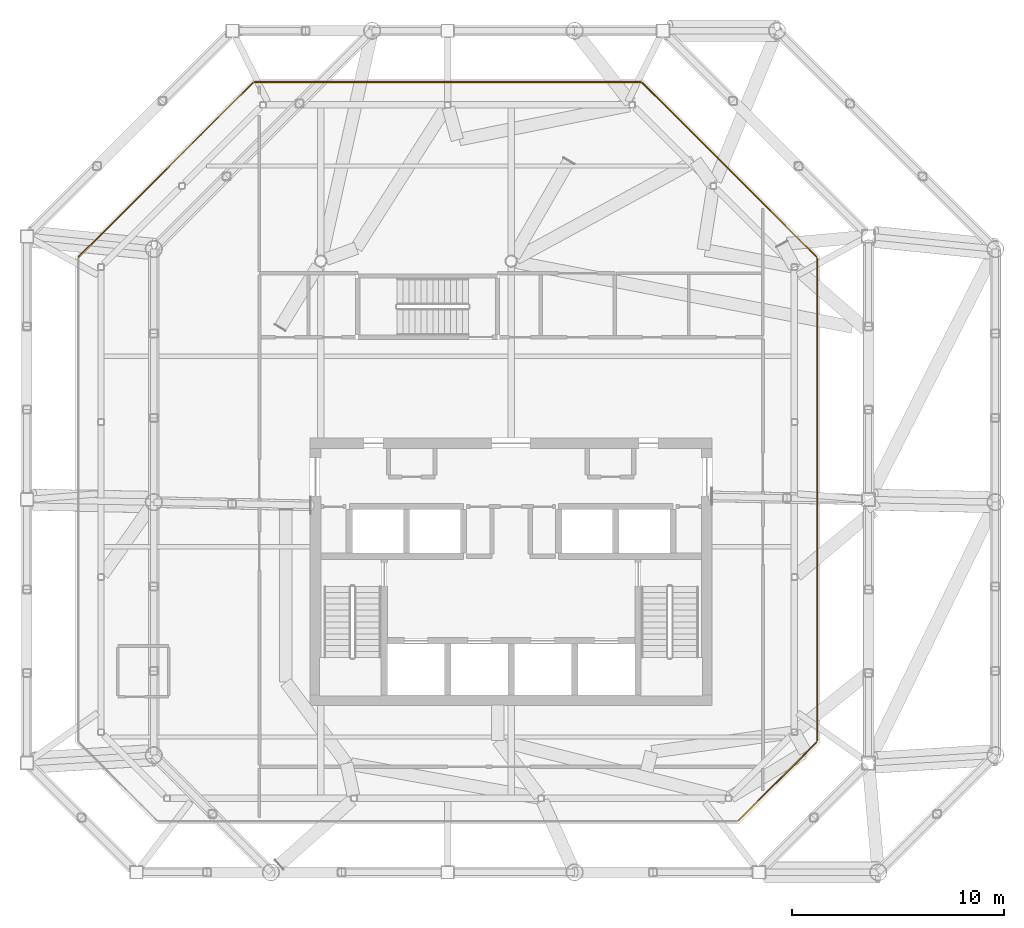
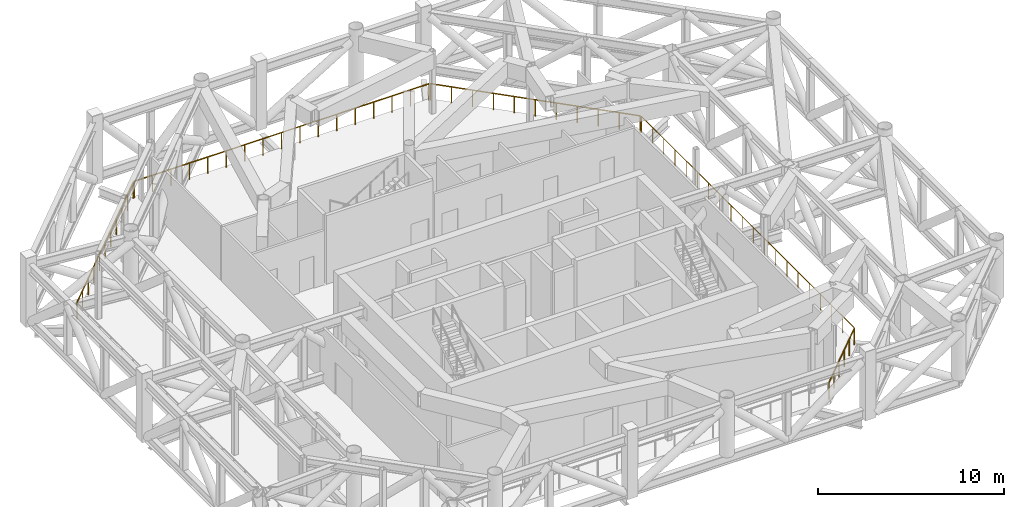
# One storey, part 14 of 14: 5 railings.
"""IFC4 building model written with IfcOpenShell, lengths in metres."""

from ifc_helpers import new_model, si_unit, direction, frame, origin, origin_2d, place, context, subcontext, project, spatial, circle, extrude, material, type_object, element, save


model = new_model("IFC4")

# Units and contexts
model_context = context("Model", 3, precision=1e-05, world=origin(), true_north=direction((0.0, 1.0)))
body_context = subcontext(model_context, "Body", "Model", "MODEL_VIEW")
ifc_project = project(units=[si_unit("LENGTHUNIT", "METRE"), si_unit("AREAUNIT", "SQUARE_METRE"), si_unit("VOLUMEUNIT", "CUBIC_METRE"), si_unit("PLANEANGLEUNIT", "RADIAN"), si_unit("MASSUNIT", "GRAM", prefix="KILO")], contexts=[model_context])

# Site, building, storey
site_placement = place(None, origin())
site = spatial("IfcSite", under=ifc_project, at=site_placement, CompositionType="ELEMENT")
building_placement = place(site_placement, origin())
building = spatial("IfcBuilding", under=site, at=building_placement, Name="Tskaro Facet Tower", CompositionType="ELEMENT")
storey_placement = place(building_placement, frame((0.0, 0.0, 255.0)))
storey = spatial("IfcBuildingStorey", under=building, at=storey_placement, Name="L67", CompositionType="ELEMENT", Elevation=255.0)

# Railings
ifc_material = material(Name="Bronze anodised aluminium 6063-T6", Category="aluminium")
railing_type = type_object("IfcRailingType", Name="Bronze guard rail (GD1)", PredefinedType="GUARDRAIL", material=ifc_material)
railing_1_placement = place(storey_placement, frame((10.746826171875, -17.439208984375, 0.0)))
element("IfcRailing", 1, at=railing_1_placement, inside=storey, type_object=railing_type, Name="Guard L67", PredefinedType="GUARDRAIL", context=body_context, shape_type="SweptSolid", body=[
    extrude(circle(Radius=0.02490234375, at=origin_2d()), frame((0.0, 0.0, 1.0751953125), z_axis=(0.707106781187, 0.707106781187, 0.0), x_axis=(-0.707106781187, 0.707106781187, 0.0)), (0.0, 0.0, 1.0), 5.221923828125),
    extrude(circle(Radius=0.02001953125, at=origin_2d()), origin(), (0.0, 0.0, 1.0), 1.050048828125),
    extrude(circle(Radius=0.02001953125, at=origin_2d()), frame((0.738525390625, 0.738525390625, 0.0)), (0.0, 0.0, 1.0), 1.050048828125),
    extrude(circle(Radius=0.02001953125, at=origin_2d()), frame((1.47705078125, 1.47705078125, 0.0)), (0.0, 0.0, 1.0), 1.050048828125),
    extrude(circle(Radius=0.02001953125, at=origin_2d()), frame((2.21533203125, 2.21533203125, 0.0)), (0.0, 0.0, 1.0), 1.050048828125),
    extrude(circle(Radius=0.02001953125, at=origin_2d()), frame((2.953857421875, 2.953857421875, 0.0)), (0.0, 0.0, 1.0), 1.050048828125),
    extrude(circle(Radius=0.02001953125, at=origin_2d()), frame((3.6923828125, 3.6923828125, 0.0)), (0.0, 0.0, 1.0), 1.050048828125),
])
railing_2_placement = place(storey_placement, frame((14.470947265625, -13.669921875, 0.0)))
element("IfcRailing", 2, at=railing_2_placement, inside=storey, type_object=railing_type, Name="Guard L67", PredefinedType="GUARDRAIL", context=body_context, shape_type="SweptSolid", body=[
    extrude(circle(Radius=0.02490234375, at=origin_2d()), frame((0.0, 0.0, 1.0751953125), z_axis=(0.0, 1.0, 0.0), x_axis=(-1.0, 0.0, 0.0)), (0.0, 0.0, 1.0), 22.796875),
    extrude(circle(Radius=0.02001953125, at=origin_2d()), origin(), (0.0, 0.0, 1.0), 1.050048828125),
    extrude(circle(Radius=0.02001953125, at=origin_2d()), frame((0.0, 1.199951171875, 0.0)), (0.0, 0.0, 1.0), 1.050048828125),
    extrude(circle(Radius=0.02001953125, at=origin_2d()), frame((0.0, 2.399658203125, 0.0)), (0.0, 0.0, 1.0), 1.050048828125),
    extrude(circle(Radius=0.02001953125, at=origin_2d()), frame((0.0, 3.599609375, 0.0)), (0.0, 0.0, 1.0), 1.050048828125),
    extrude(circle(Radius=0.02001953125, at=origin_2d()), frame((0.0, 4.79931640625, 0.0)), (0.0, 0.0, 1.0), 1.050048828125),
    extrude(circle(Radius=0.02001953125, at=origin_2d()), frame((0.0, 5.999267578125, 0.0)), (0.0, 0.0, 1.0), 1.050048828125),
    extrude(circle(Radius=0.02001953125, at=origin_2d()), frame((0.0, 7.198974609375, 0.0)), (0.0, 0.0, 1.0), 1.050048828125),
    extrude(circle(Radius=0.02001953125, at=origin_2d()), frame((0.0, 8.39892578125, 0.0)), (0.0, 0.0, 1.0), 1.050048828125),
    extrude(circle(Radius=0.02001953125, at=origin_2d()), frame((0.0, 9.5986328125, 0.0)), (0.0, 0.0, 1.0), 1.050048828125),
    extrude(circle(Radius=0.02001953125, at=origin_2d()), frame((0.0, 10.798583984375, 0.0)), (0.0, 0.0, 1.0), 1.050048828125),
    extrude(circle(Radius=0.02001953125, at=origin_2d()), frame((0.0, 11.998291015625, 0.0)), (0.0, 0.0, 1.0), 1.050048828125),
    extrude(circle(Radius=0.02001953125, at=origin_2d()), frame((0.0, 13.1982421875, 0.0)), (0.0, 0.0, 1.0), 1.050048828125),
    extrude(circle(Radius=0.02001953125, at=origin_2d()), frame((0.0, 14.39794921875, 0.0)), (0.0, 0.0, 1.0), 1.050048828125),
    extrude(circle(Radius=0.02001953125, at=origin_2d()), frame((0.0, 15.597900390625, 0.0)), (0.0, 0.0, 1.0), 1.050048828125),
    extrude(circle(Radius=0.02001953125, at=origin_2d()), frame((0.0, 16.797607421875, 0.0)), (0.0, 0.0, 1.0), 1.050048828125),
    extrude(circle(Radius=0.02001953125, at=origin_2d()), frame((0.0, 17.99755859375, 0.0)), (0.0, 0.0, 1.0), 1.050048828125),
    extrude(circle(Radius=0.02001953125, at=origin_2d()), frame((0.0, 19.197265625, 0.0)), (0.0, 0.0, 1.0), 1.050048828125),
    extrude(circle(Radius=0.02001953125, at=origin_2d()), frame((0.0, 20.397216796875, 0.0)), (0.0, 0.0, 1.0), 1.050048828125),
    extrude(circle(Radius=0.02001953125, at=origin_2d()), frame((0.0, 21.596923828125, 0.0)), (0.0, 0.0, 1.0), 1.050048828125),
    extrude(circle(Radius=0.02001953125, at=origin_2d()), frame((0.0, 22.796875, 0.0)), (0.0, 0.0, 1.0), 1.050048828125),
])
railing_3_placement = place(storey_placement, frame((14.439208984375, 9.203857421875, 0.0)))
element("IfcRailing", 3, at=railing_3_placement, inside=storey, type_object=railing_type, Name="Guard L67", PredefinedType="GUARDRAIL", context=body_context, shape_type="SweptSolid", body=[
    extrude(circle(Radius=0.02490234375, at=origin_2d()), frame((0.0, 0.0, 1.0751953125), z_axis=(-0.707106781187, 0.707106781187, 0.0), x_axis=(-0.707106781187, -0.707106781187, 0.0)), (0.0, 0.0, 1.0), 11.646484375),
    extrude(circle(Radius=0.02001953125, at=origin_2d()), origin(), (0.0, 0.0, 1.0), 1.050048828125),
    extrude(circle(Radius=0.02001953125, at=origin_2d()), frame((-0.823486328125, 0.823486328125, 0.0)), (0.0, 0.0, 1.0), 1.050048828125),
    extrude(circle(Radius=0.02001953125, at=origin_2d()), frame((-1.64697265625, 1.64697265625, 0.0)), (0.0, 0.0, 1.0), 1.050048828125),
    extrude(circle(Radius=0.02001953125, at=origin_2d()), frame((-2.470703125, 2.470703125, 0.0)), (0.0, 0.0, 1.0), 1.050048828125),
    extrude(circle(Radius=0.02001953125, at=origin_2d()), frame((-3.294189453125, 3.294189453125, 0.0)), (0.0, 0.0, 1.0), 1.050048828125),
    extrude(circle(Radius=0.02001953125, at=origin_2d()), frame((-4.11767578125, 4.11767578125, 0.0)), (0.0, 0.0, 1.0), 1.050048828125),
    extrude(circle(Radius=0.02001953125, at=origin_2d()), frame((-4.941162109375, 4.941162109375, 0.0)), (0.0, 0.0, 1.0), 1.050048828125),
    extrude(circle(Radius=0.02001953125, at=origin_2d()), frame((-5.7646484375, 5.7646484375, 0.0)), (0.0, 0.0, 1.0), 1.050048828125),
    extrude(circle(Radius=0.02001953125, at=origin_2d()), frame((-6.58837890625, 6.58837890625, 0.0)), (0.0, 0.0, 1.0), 1.050048828125),
    extrude(circle(Radius=0.02001953125, at=origin_2d()), frame((-7.411865234375, 7.411865234375, 0.0)), (0.0, 0.0, 1.0), 1.050048828125),
    extrude(circle(Radius=0.02001953125, at=origin_2d()), frame((-8.2353515625, 8.2353515625, 0.0)), (0.0, 0.0, 1.0), 1.050048828125),
])
railing_4_placement = place(storey_placement, frame((6.126953125, 17.470947265625, 0.0)))
element("IfcRailing", 4, at=railing_4_placement, inside=storey, type_object=railing_type, Name="Guard L67", PredefinedType="GUARDRAIL", context=body_context, shape_type="SweptSolid", body=[
    extrude(circle(Radius=0.02490234375, at=origin_2d()), frame((0.0, 0.0, 1.0751953125), z_axis=(-1.0, 0.0, 0.0), x_axis=(0.0, -1.0, 0.0)), (0.0, 0.0, 1.0), 18.25390625),
    extrude(circle(Radius=0.02001953125, at=origin_2d()), origin(), (0.0, 0.0, 1.0), 1.050048828125),
    extrude(circle(Radius=0.02001953125, at=origin_2d()), frame((-1.140869140625, 0.0, 0.0)), (0.0, 0.0, 1.0), 1.050048828125),
    extrude(circle(Radius=0.02001953125, at=origin_2d()), frame((-2.28173828125, 0.0, 0.0)), (0.0, 0.0, 1.0), 1.050048828125),
    extrude(circle(Radius=0.02001953125, at=origin_2d()), frame((-3.422607421875, 0.0, 0.0)), (0.0, 0.0, 1.0), 1.050048828125),
    extrude(circle(Radius=0.02001953125, at=origin_2d()), frame((-4.5634765625, 0.0, 0.0)), (0.0, 0.0, 1.0), 1.050048828125),
    extrude(circle(Radius=0.02001953125, at=origin_2d()), frame((-5.704345703125, 0.0, 0.0)), (0.0, 0.0, 1.0), 1.050048828125),
    extrude(circle(Radius=0.02001953125, at=origin_2d()), frame((-6.84521484375, 0.0, 0.0)), (0.0, 0.0, 1.0), 1.050048828125),
    extrude(circle(Radius=0.02001953125, at=origin_2d()), frame((-7.986083984375, 0.0, 0.0)), (0.0, 0.0, 1.0), 1.050048828125),
    extrude(circle(Radius=0.02001953125, at=origin_2d()), frame((-9.126953125, 0.0, 0.0)), (0.0, 0.0, 1.0), 1.050048828125),
    extrude(circle(Radius=0.02001953125, at=origin_2d()), frame((-10.267822265625, 0.0, 0.0)), (0.0, 0.0, 1.0), 1.050048828125),
    extrude(circle(Radius=0.02001953125, at=origin_2d()), frame((-11.40869140625, 0.0, 0.0)), (0.0, 0.0, 1.0), 1.050048828125),
    extrude(circle(Radius=0.02001953125, at=origin_2d()), frame((-12.549560546875, 0.0, 0.0)), (0.0, 0.0, 1.0), 1.050048828125),
    extrude(circle(Radius=0.02001953125, at=origin_2d()), frame((-13.6904296875, 0.0, 0.0)), (0.0, 0.0, 1.0), 1.050048828125),
    extrude(circle(Radius=0.02001953125, at=origin_2d()), frame((-14.831298828125, 0.0, 0.0)), (0.0, 0.0, 1.0), 1.050048828125),
    extrude(circle(Radius=0.02001953125, at=origin_2d()), frame((-15.97216796875, 0.0, 0.0)), (0.0, 0.0, 1.0), 1.050048828125),
    extrude(circle(Radius=0.02001953125, at=origin_2d()), frame((-17.113037109375, 0.0, 0.0)), (0.0, 0.0, 1.0), 1.050048828125),
    extrude(circle(Radius=0.02001953125, at=origin_2d()), frame((-18.25390625, 0.0, 0.0)), (0.0, 0.0, 1.0), 1.050048828125),
])
railing_5_placement = place(storey_placement, frame((-12.203857421875, 17.439208984375, 0.0)))
element("IfcRailing", 5, at=railing_5_placement, inside=storey, type_object=railing_type, Name="Guard L67", PredefinedType="GUARDRAIL", context=body_context, shape_type="SweptSolid", body=[
    extrude(circle(Radius=0.02490234375, at=origin_2d()), frame((0.0, 0.0, 1.0751953125), z_axis=(-0.707106781187, -0.707106781187, 0.0), x_axis=(0.707106781187, -0.707106781187, 0.0)), (0.0, 0.0, 1.0), 11.646484375),
    extrude(circle(Radius=0.02001953125, at=origin_2d()), origin(), (0.0, 0.0, 1.0), 1.050048828125),
    extrude(circle(Radius=0.02001953125, at=origin_2d()), frame((-0.823486328125, -0.823486328125, 0.0)), (0.0, 0.0, 1.0), 1.050048828125),
    extrude(circle(Radius=0.02001953125, at=origin_2d()), frame((-1.64697265625, -1.64697265625, 0.0)), (0.0, 0.0, 1.0), 1.050048828125),
    extrude(circle(Radius=0.02001953125, at=origin_2d()), frame((-2.470703125, -2.470703125, 0.0)), (0.0, 0.0, 1.0), 1.050048828125),
    extrude(circle(Radius=0.02001953125, at=origin_2d()), frame((-3.294189453125, -3.294189453125, 0.0)), (0.0, 0.0, 1.0), 1.050048828125),
    extrude(circle(Radius=0.02001953125, at=origin_2d()), frame((-4.11767578125, -4.11767578125, 0.0)), (0.0, 0.0, 1.0), 1.050048828125),
    extrude(circle(Radius=0.02001953125, at=origin_2d()), frame((-4.941162109375, -4.941162109375, 0.0)), (0.0, 0.0, 1.0), 1.050048828125),
    extrude(circle(Radius=0.02001953125, at=origin_2d()), frame((-5.7646484375, -5.7646484375, 0.0)), (0.0, 0.0, 1.0), 1.050048828125),
    extrude(circle(Radius=0.02001953125, at=origin_2d()), frame((-6.58837890625, -6.58837890625, 0.0)), (0.0, 0.0, 1.0), 1.050048828125),
    extrude(circle(Radius=0.02001953125, at=origin_2d()), frame((-7.411865234375, -7.411865234375, 0.0)), (0.0, 0.0, 1.0), 1.050048828125),
    extrude(circle(Radius=0.02001953125, at=origin_2d()), frame((-8.2353515625, -8.2353515625, 0.0)), (0.0, 0.0, 1.0), 1.050048828125),
])

save(model, "model.ifc")
